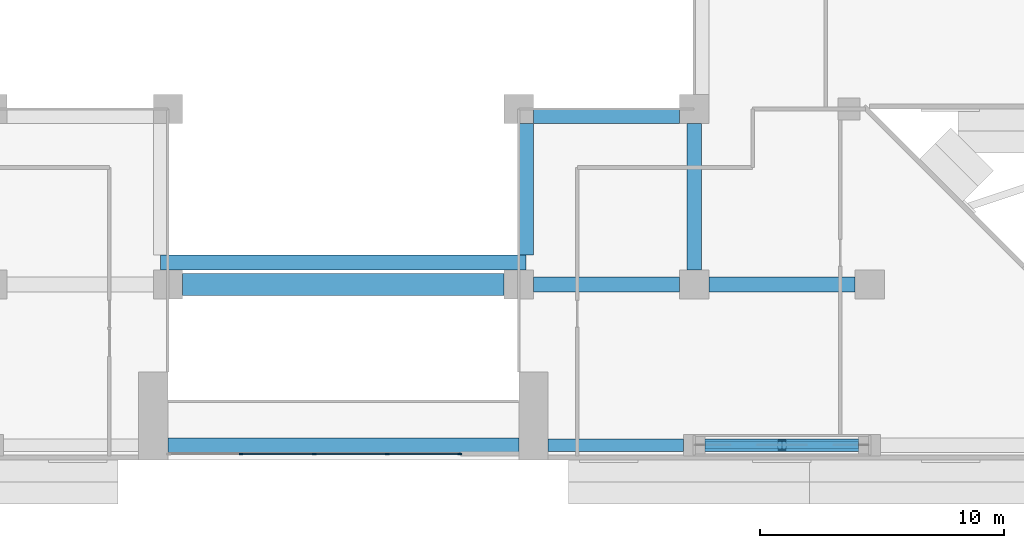
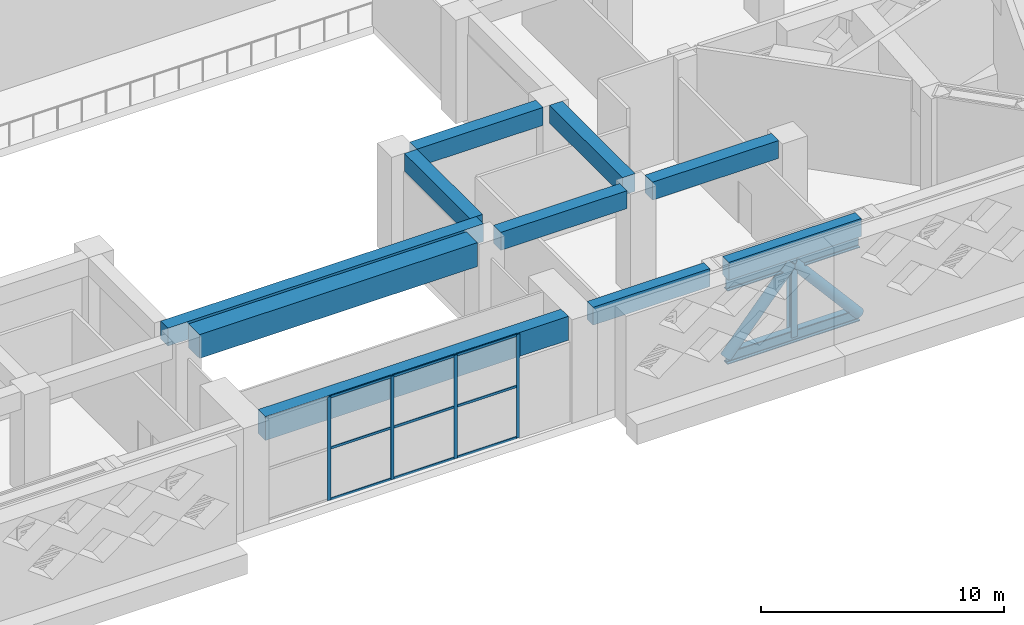
# One storey, part 4 of 19: 18 members, 10 beams, 1 element without a shape of its own.
"""IFC4 building model written with IfcOpenShell, lengths in metres."""

from ifc_helpers import new_model, si_unit, direction, frame, origin, origin_2d, place, context, subcontext, project, spatial, rectangle, hollow_circle, i_section, extrude, source, transform, mapped, material, layer, layer_set, material_profile, profile_set, type_object, element, aggregate, save


model = new_model("IFC4")

# Units and contexts
model_context = context("Model", 3, precision=1e-05, world=origin(), true_north=direction((0.0, 1.0)))
body_context = subcontext(model_context, "Body", "Model", "MODEL_VIEW")
ifc_project = project(units=[si_unit("LENGTHUNIT", "METRE"), si_unit("AREAUNIT", "SQUARE_METRE"), si_unit("VOLUMEUNIT", "CUBIC_METRE"), si_unit("PLANEANGLEUNIT", "RADIAN"), si_unit("MASSUNIT", "GRAM", prefix="KILO")], contexts=[model_context])

# Site, building, storey
site_placement = place(None, origin())
site = spatial("IfcSite", under=ifc_project, at=site_placement, CompositionType="ELEMENT")
building_placement = place(site_placement, origin())
building = spatial("IfcBuilding", under=site, at=building_placement, Name="Saffron Iwan Residences", CompositionType="ELEMENT")
storey_placement = place(building_placement, frame((0.0, 0.0, 107.5)))
storey = spatial("IfcBuildingStorey", under=building, at=storey_placement, Name="L28", CompositionType="ELEMENT", Elevation=107.5)

# Beams
ifc_material_1 = material(Name="Concrete C60/75", Category="concrete")
ifc_material_profile_1 = material_profile(ifc_material_1, rectangle(XDim=0.5, YDim=0.89990234375, at=origin_2d()), Name="RC 500x900")
ifc_profile_set_1 = profile_set([ifc_material_profile_1], Name="Concrete C60/75")
beam_type_1 = type_object("IfcBeamType", Name="SPANDREL BEAM RC 500x900 C60/75 TOP 5200", PredefinedType="SPANDREL", material=ifc_profile_set_1)
shared_shape_1 = source(origin(), body_context, "Body", "SweptSolid", [
    extrude(rectangle(XDim=0.5, YDim=0.89990234375, at=origin_2d()), origin(), (0.0, 0.0, 1.0), 6.300048828125),
])
beam_1_placement = place(storey_placement, frame((71.550048828125, 34.199951171875, 4.75), z_axis=(-1.0, 0.0, 0.0), x_axis=(0.0, -1.0, 0.0)))
element("IfcBeam", 1, at=beam_1_placement, inside=storey, type_object=beam_type_1, Name="Spandrel beam", PredefinedType="SPANDREL", context=body_context, shape_type="MappedRepresentation", body=[
    mapped(shared_shape_1, transform((0.0, 0.0, 0.0))),
])
shared_shape_2 = source(origin(), body_context, "Body", "SweptSolid", [
    extrude(rectangle(XDim=0.5, YDim=0.89990234375, at=origin_2d()), origin(), (0.0, 0.0, 1.0), 5.550048828125),
])
beam_2_placement = place(storey_placement, frame((64.35009765625, 34.199951171875, 4.75), z_axis=(-1.0, 0.0, 0.0), x_axis=(0.0, -1.0, 0.0)))
element("IfcBeam", 2, at=beam_2_placement, inside=storey, type_object=beam_type_1, Name="Spandrel beam", PredefinedType="SPANDREL", context=body_context, shape_type="MappedRepresentation", body=[
    mapped(shared_shape_2, transform((0.0, 0.0, 0.0))),
])
ifc_material_profile_2 = material_profile(ifc_material_1, rectangle(XDim=0.60009765625, YDim=1.199951171875, at=origin_2d()), Name="RC 600x1200")
ifc_profile_set_2 = profile_set([ifc_material_profile_2], Name="Concrete C60/75")
beam_type_2 = type_object("IfcBeamType", Name="LINTEL BEAM RC 600x1200 C60/75 TOP 5200", PredefinedType="LINTEL", material=ifc_profile_set_2)
shared_shape_3 = source(origin(), body_context, "Body", "SweptSolid", [
    extrude(rectangle(XDim=0.60009765625, YDim=1.199951171875, at=origin_2d()), origin(), (0.0, 0.0, 1.0), 14.400146484375),
])
beam_3_placement = place(storey_placement, frame((57.60009765625, 34.199951171875, 4.60009765625), z_axis=(-1.0, 0.0, 0.0), x_axis=(0.0, -1.0, 0.0)))
element("IfcBeam", 3, at=beam_3_placement, inside=storey, type_object=beam_type_2, Name="Lintel beam over the iwan", PredefinedType="LINTEL", context=body_context, shape_type="MappedRepresentation", body=[
    mapped(shared_shape_3, transform((0.0, 0.0, 0.0))),
])
ifc_material_profile_3 = material_profile(ifc_material_1, rectangle(XDim=0.60009765625, YDim=0.89990234375, at=origin_2d()), Name="RC 600x900")
ifc_profile_set_3 = profile_set([ifc_material_profile_3], Name="Concrete C60/75")
beam_type_3 = type_object("IfcBeamType", Name="BEAM RC 600x900 C60/75 TOP 5200", PredefinedType="BEAM", material=ifc_profile_set_3)
shared_shape_4 = source(origin(), body_context, "Body", "SweptSolid", [
    extrude(rectangle(XDim=0.60009765625, YDim=0.89990234375, at=origin_2d()), origin(), (0.0, 0.0, 1.0), 15.0),
])
beam_4_placement = place(storey_placement, frame((57.89990234375, 41.699951171875, 4.75), z_axis=(-1.0, 0.0, 0.0), x_axis=(0.0, -1.0, 0.0)))
element("IfcBeam", 4, at=beam_4_placement, inside=storey, type_object=beam_type_3, Name="Atrium edge beam", PredefinedType="BEAM", context=body_context, shape_type="MappedRepresentation", body=[
    mapped(shared_shape_4, transform((0.0, 0.0, 0.0))),
])
shared_shape_5 = source(origin(), body_context, "Body", "SweptSolid", [
    extrude(rectangle(XDim=0.60009765625, YDim=0.89990234375, at=origin_2d()), origin(), (0.0, 0.0, 1.0), 5.39990234375),
])
beam_5_placement = place(storey_placement, frame((57.89990234375, 47.39990234375, 4.75), z_axis=(0.0, -1.0, 0.0), x_axis=(1.0, 0.0, 0.0)))
element("IfcBeam", 5, at=beam_5_placement, inside=storey, type_object=beam_type_3, Name="Atrium edge beam", PredefinedType="BEAM", context=body_context, shape_type="MappedRepresentation", body=[
    mapped(shared_shape_5, transform((0.0, 0.0, 0.0))),
])
shared_shape_6 = source(origin(), body_context, "Body", "SweptSolid", [
    extrude(rectangle(XDim=0.60009765625, YDim=0.89990234375, at=origin_2d()), origin(), (0.0, 0.0, 1.0), 6.0),
])
for number, where, z_axis, x_axis, name in (
    (6, (64.199951171875, 47.699951171875, 4.75), (-1.0, 0.0, 0.0), (0.0, -1.0, 0.0), "Atrium edge beam"),
    (7, (58.199951171875, 40.800048828125, 4.75), (1.0, 0.0, 0.0), (0.0, 1.0, 0.0), "Floor beam"),
    (8, (65.39990234375, 40.800048828125, 4.75), (1.0, 0.0, 0.0), (0.0, 1.0, 0.0), "Floor beam"),
    (9, (64.800048828125, 41.39990234375, 4.75), (0.0, 1.0, 0.0), (-1.0, 0.0, 0.0), "Floor beam"),
):
    element("IfcBeam", number, at=place(storey_placement, frame(where, z_axis=z_axis, x_axis=x_axis)), inside=storey, type_object=beam_type_3, Name=name, PredefinedType="BEAM", context=body_context, shape_type="MappedRepresentation", body=[
        mapped(shared_shape_6, transform((0.0, 0.0, 0.0))),
    ])
ifc_material_profile_4 = material_profile(ifc_material_1, rectangle(XDim=0.89990234375, YDim=1.199951171875, at=origin_2d()), Name="RC 900x1200")
ifc_profile_set_4 = profile_set([ifc_material_profile_4], Name="Concrete C60/75")
beam_type_4 = type_object("IfcBeamType", Name="BEAM RC 900x1200 C60/75 TOP 5200", PredefinedType="BEAM", material=ifc_profile_set_4)
shared_shape_7 = source(origin(), body_context, "Body", "SweptSolid", [
    extrude(rectangle(XDim=0.89990234375, YDim=1.199951171875, at=origin_2d()), origin(), (0.0, 0.0, 1.0), 13.199951171875),
])
beam_6_placement = place(storey_placement, frame((43.800048828125, 40.800048828125, 4.60009765625), z_axis=(1.0, 0.0, 0.0), x_axis=(0.0, 1.0, 0.0)))
element("IfcBeam", 10, at=beam_6_placement, inside=storey, type_object=beam_type_4, Name="Floor beam", PredefinedType="BEAM", context=body_context, shape_type="MappedRepresentation", body=[
    mapped(shared_shape_7, transform((0.0, 0.0, 0.0))),
])

# Members
ifc_material_2 = material(Name="Steel S355", Category="steel")
ifc_material_profile_5 = material_profile(ifc_material_2, i_section(OverallWidth=0.304931640625, OverallDepth=0.6201171875, WebThickness=0.02099609375, FlangeThickness=0.0400390625, FilletRadius=0.027099609375, at=origin_2d()), Name="HE 600 M")
ifc_profile_set_5 = profile_set([ifc_material_profile_5], Name="Steel S355")
member_type_1 = type_object("IfcMemberType", Name="BELT TRUSS CHORD HE 600 M S355", PredefinedType="CHORD", material=ifc_profile_set_5)
shared_shape_8 = source(origin(), body_context, "Body", "SweptSolid", [
    extrude(i_section(OverallWidth=0.304931640625, OverallDepth=0.6201171875, WebThickness=0.02099609375, FlangeThickness=0.0400390625, FilletRadius=0.027099609375, at=origin_2d()), origin(), (0.0, 0.0, 1.0), 6.300048828125),
])
for number, where, z_axis, x_axis, name in (
    (11, (71.550048828125, 34.199951171875, 0.31005859375), (-1.0, 0.0, 0.0), (0.0, -1.0, 0.0), "Belt truss chord L28"),
    (12, (71.550048828125, 34.199951171875, 3.989990234375), (-1.0, 0.0, 0.0), (0.0, -1.0, 0.0), "Belt truss chord L28"),
):
    element("IfcMember", number, at=place(storey_placement, frame(where, z_axis=z_axis, x_axis=x_axis)), inside=storey, type_object=member_type_1, Name=name, PredefinedType="CHORD", context=body_context, shape_type="MappedRepresentation", body=[
        mapped(shared_shape_8, transform((0.0, 0.0, 0.0))),
    ])
ifc_material_profile_6 = material_profile(ifc_material_2, hollow_circle(Radius=0.25390625, WallThickness=0.01611328125, at=origin_2d()), Name="CHS 508x16")
ifc_profile_set_6 = profile_set([ifc_material_profile_6], Name="Steel S355")
member_type_2 = type_object("IfcMemberType", Name="BELT TRUSS DIAGONAL CHS 508x16 S355", PredefinedType="BRACE", material=ifc_profile_set_6)
shared_shape_9 = source(origin(), body_context, "Body", "SweptSolid", [
    extrude(hollow_circle(Radius=0.25390625, WallThickness=0.01611328125, at=origin_2d()), origin(), (0.0, 0.0, 1.0), 4.843994140625),
])
for number, where, z_axis, x_axis, name in (
    (13, (71.550048828125, 34.199951171875, 0.31005859375), (-0.650305625683, 0.0, 0.759672688206), (0.0, -1.0, 0.0), "Belt truss diagonal L28"),
    (14, (68.39990234375, 34.199951171875, 3.989990234375), (-0.650276538531, 0.0, -0.75969758683), (0.0, -1.0, 0.0), "Belt truss diagonal L28"),
):
    element("IfcMember", number, at=place(storey_placement, frame(where, z_axis=z_axis, x_axis=x_axis)), inside=storey, type_object=member_type_2, Name=name, PredefinedType="BRACE", context=body_context, shape_type="MappedRepresentation", body=[
        mapped(shared_shape_9, transform((0.0, 0.0, 0.0))),
    ])
ifc_material_profile_7 = material_profile(ifc_material_2, i_section(OverallWidth=0.300048828125, OverallDepth=0.39990234375, WebThickness=0.013427734375, FlangeThickness=0.02392578125, FilletRadius=0.027099609375, at=origin_2d()), Name="HE 400 B")
ifc_profile_set_7 = profile_set([ifc_material_profile_7], Name="Steel S355")
member_type_3 = type_object("IfcMemberType", Name="BELT TRUSS POST HE 400 B S355", PredefinedType="POST", material=ifc_profile_set_7)
shared_shape_10 = source(origin(), body_context, "Body", "SweptSolid", [
    extrude(i_section(OverallWidth=0.300048828125, OverallDepth=0.39990234375, WebThickness=0.013427734375, FlangeThickness=0.02392578125, FilletRadius=0.027099609375, at=origin_2d()), origin(), (0.0, 0.0, 1.0), 3.679931640625),
])
member_1_placement = place(storey_placement, frame((68.39990234375, 34.199951171875, 0.31005859375), z_axis=(0.0, 0.0, 1.0), x_axis=(1.0, 0.0, 0.0)))
element("IfcMember", 15, at=member_1_placement, inside=storey, type_object=member_type_3, Name="Belt truss post L28", PredefinedType="POST", context=body_context, shape_type="MappedRepresentation", body=[
    mapped(shared_shape_10, transform((0.0, 0.0, 0.0))),
])

# Curtain wall, members
ifc_material_3 = material(Name="Clear glass, laminated double glazed", Category="glass")
ifc_layer = layer(ifc_material_3, 0.199951171875)
ifc_layer_set = layer_set([ifc_layer], Name="Clear glass, laminated double glazed")
curtain_wall_type = type_object("IfcCurtainWallType", Name="CW-B IWAN PORTAL", PredefinedType="NOTDEFINED", material=ifc_layer_set)
curtain_wall_placement = place(storey_placement, origin())
curtain_wall = element("IfcCurtainWall", 16, at=curtain_wall_placement, inside=storey, type_object=curtain_wall_type, Name="Iwan portal glazing L28.1", PredefinedType="NOTDEFINED")
ifc_material_4 = material(Name="Aluminium 6063-T6", Category="aluminium")
ifc_material_profile_8 = material_profile(ifc_material_4, rectangle(XDim=0.06005859375, YDim=0.1201171875, at=origin_2d()), Name="CW-B TRANSOM 60 x 120")
ifc_profile_set_8 = profile_set([ifc_material_profile_8], Name="Aluminium 6063-T6")
member_type_4 = type_object("IfcMemberType", Name="CW-B TRANSOM 60 x 120", PredefinedType="USERDEFINED", material=ifc_profile_set_8)
shared_shape_11 = source(origin(), body_context, "Body", "SweptSolid", [
    extrude(rectangle(XDim=0.06005859375, YDim=0.1201171875, at=origin_2d()), origin(), (0.0, 0.0, 1.0), 2.909912109375),
])
member_2_placement = place(storey_placement, frame((52.22998046875, 33.85009765625, 0.030029296875), z_axis=(1.0, 0.0, 0.0), x_axis=(0.0, 1.0, 0.0)))
member_2 = element("IfcMember", 17, at=member_2_placement, type_object=member_type_4, Name="CW-B transom 4.1", ObjectType="TRANSOM", PredefinedType="USERDEFINED", context=body_context, shape_type="MappedRepresentation", body=[
    mapped(shared_shape_11, transform((0.0, 0.0, 0.0))),
])
member_3_placement = place(storey_placement, frame((52.22998046875, 33.85009765625, 2.60009765625), z_axis=(1.0, 0.0, 0.0), x_axis=(0.0, 1.0, 0.0)))
member_3 = element("IfcMember", 18, at=member_3_placement, type_object=member_type_4, Name="CW-B transom 4.2", ObjectType="TRANSOM", PredefinedType="USERDEFINED", context=body_context, shape_type="MappedRepresentation", body=[
    mapped(shared_shape_11, transform((0.0, 0.0, 0.0))),
])
member_4_placement = place(storey_placement, frame((52.22998046875, 33.85009765625, 5.169921875), z_axis=(1.0, 0.0, 0.0), x_axis=(0.0, 1.0, 0.0)))
member_4 = element("IfcMember", 19, at=member_4_placement, type_object=member_type_4, Name="CW-B transom 4.3", ObjectType="TRANSOM", PredefinedType="USERDEFINED", context=body_context, shape_type="MappedRepresentation", body=[
    mapped(shared_shape_11, transform((0.0, 0.0, 0.0))),
])
shared_shape_12 = source(origin(), body_context, "Body", "SweptSolid", [
    extrude(rectangle(XDim=0.06005859375, YDim=0.1201171875, at=origin_2d()), origin(), (0.0, 0.0, 1.0), 2.93994140625),
])
member_5_placement = place(storey_placement, frame((46.22998046875, 33.85009765625, 0.030029296875), z_axis=(1.0, 0.0, 0.0), x_axis=(0.0, 1.0, 0.0)))
member_5 = element("IfcMember", 20, at=member_5_placement, type_object=member_type_4, Name="CW-B transom 2.1", ObjectType="TRANSOM", PredefinedType="USERDEFINED", context=body_context, shape_type="MappedRepresentation", body=[
    mapped(shared_shape_12, transform((0.0, 0.0, 0.0))),
])
member_6_placement = place(storey_placement, frame((46.22998046875, 33.85009765625, 2.60009765625), z_axis=(1.0, 0.0, 0.0), x_axis=(0.0, 1.0, 0.0)))
member_6 = element("IfcMember", 21, at=member_6_placement, type_object=member_type_4, Name="CW-B transom 2.2", ObjectType="TRANSOM", PredefinedType="USERDEFINED", context=body_context, shape_type="MappedRepresentation", body=[
    mapped(shared_shape_12, transform((0.0, 0.0, 0.0))),
])
member_7_placement = place(storey_placement, frame((46.22998046875, 33.85009765625, 5.169921875), z_axis=(1.0, 0.0, 0.0), x_axis=(0.0, 1.0, 0.0)))
member_7 = element("IfcMember", 22, at=member_7_placement, type_object=member_type_4, Name="CW-B transom 2.3", ObjectType="TRANSOM", PredefinedType="USERDEFINED", context=body_context, shape_type="MappedRepresentation", body=[
    mapped(shared_shape_12, transform((0.0, 0.0, 0.0))),
])
member_8_placement = place(storey_placement, frame((49.22998046875, 33.85009765625, 0.030029296875), z_axis=(1.0, 0.0, 0.0), x_axis=(0.0, 1.0, 0.0)))
member_8 = element("IfcMember", 23, at=member_8_placement, type_object=member_type_4, Name="CW-B transom 3.1", ObjectType="TRANSOM", PredefinedType="USERDEFINED", context=body_context, shape_type="MappedRepresentation", body=[
    mapped(shared_shape_12, transform((0.0, 0.0, 0.0))),
])
member_9_placement = place(storey_placement, frame((49.22998046875, 33.85009765625, 2.60009765625), z_axis=(1.0, 0.0, 0.0), x_axis=(0.0, 1.0, 0.0)))
member_9 = element("IfcMember", 24, at=member_9_placement, type_object=member_type_4, Name="CW-B transom 3.2", ObjectType="TRANSOM", PredefinedType="USERDEFINED", context=body_context, shape_type="MappedRepresentation", body=[
    mapped(shared_shape_12, transform((0.0, 0.0, 0.0))),
])
member_10_placement = place(storey_placement, frame((49.22998046875, 33.85009765625, 5.169921875), z_axis=(1.0, 0.0, 0.0), x_axis=(0.0, 1.0, 0.0)))
member_10 = element("IfcMember", 25, at=member_10_placement, type_object=member_type_4, Name="CW-B transom 3.3", ObjectType="TRANSOM", PredefinedType="USERDEFINED", context=body_context, shape_type="MappedRepresentation", body=[
    mapped(shared_shape_12, transform((0.0, 0.0, 0.0))),
])
ifc_material_profile_9 = material_profile(ifc_material_4, rectangle(XDim=0.06005859375, YDim=0.159912109375, at=origin_2d()), Name="CW-B MULLION 60 x 160")
ifc_profile_set_9 = profile_set([ifc_material_profile_9], Name="Aluminium 6063-T6")
member_type_5 = type_object("IfcMemberType", Name="CW-B MULLION 60 x 160", PredefinedType="MULLION", material=ifc_profile_set_9)
shared_shape_13 = source(origin(), body_context, "Body", "SweptSolid", [
    extrude(rectangle(XDim=0.06005859375, YDim=0.159912109375, at=origin_2d()), origin(), (0.0, 0.0, 1.0), 5.199951171875),
])
member_11_placement = place(storey_placement, frame((46.199951171875, 33.85009765625, 0.0), z_axis=(0.0, 0.0, 1.0), x_axis=(0.0, 1.0, 0.0)))
member_11 = element("IfcMember", 26, at=member_11_placement, type_object=member_type_5, Name="CW-B mullion 2", PredefinedType="MULLION", context=body_context, shape_type="MappedRepresentation", body=[
    mapped(shared_shape_13, transform((0.0, 0.0, 0.0))),
])
member_12_placement = place(storey_placement, frame((49.199951171875, 33.85009765625, 0.0), z_axis=(0.0, 0.0, 1.0), x_axis=(0.0, 1.0, 0.0)))
member_12 = element("IfcMember", 27, at=member_12_placement, type_object=member_type_5, Name="CW-B mullion 3", PredefinedType="MULLION", context=body_context, shape_type="MappedRepresentation", body=[
    mapped(shared_shape_13, transform((0.0, 0.0, 0.0))),
])
member_13_placement = place(storey_placement, frame((52.199951171875, 33.85009765625, 0.0), z_axis=(0.0, 0.0, 1.0), x_axis=(0.0, 1.0, 0.0)))
member_13 = element("IfcMember", 28, at=member_13_placement, type_object=member_type_5, Name="CW-B mullion 4", PredefinedType="MULLION", context=body_context, shape_type="MappedRepresentation", body=[
    mapped(shared_shape_13, transform((0.0, 0.0, 0.0))),
])
member_14_placement = place(storey_placement, frame((55.169921875, 33.85009765625, 0.0), z_axis=(0.0, 0.0, 1.0), x_axis=(0.0, 1.0, 0.0)))
member_14 = element("IfcMember", 29, at=member_14_placement, type_object=member_type_5, Name="CW-B mullion 5", PredefinedType="MULLION", context=body_context, shape_type="MappedRepresentation", body=[
    mapped(shared_shape_13, transform((0.0, 0.0, 0.0))),
])
aggregate(curtain_wall, [member_11, member_12, member_13, member_14, member_5, member_6, member_7, member_8, member_9, member_10, member_2, member_3, member_4])

save(model, "model.ifc")
